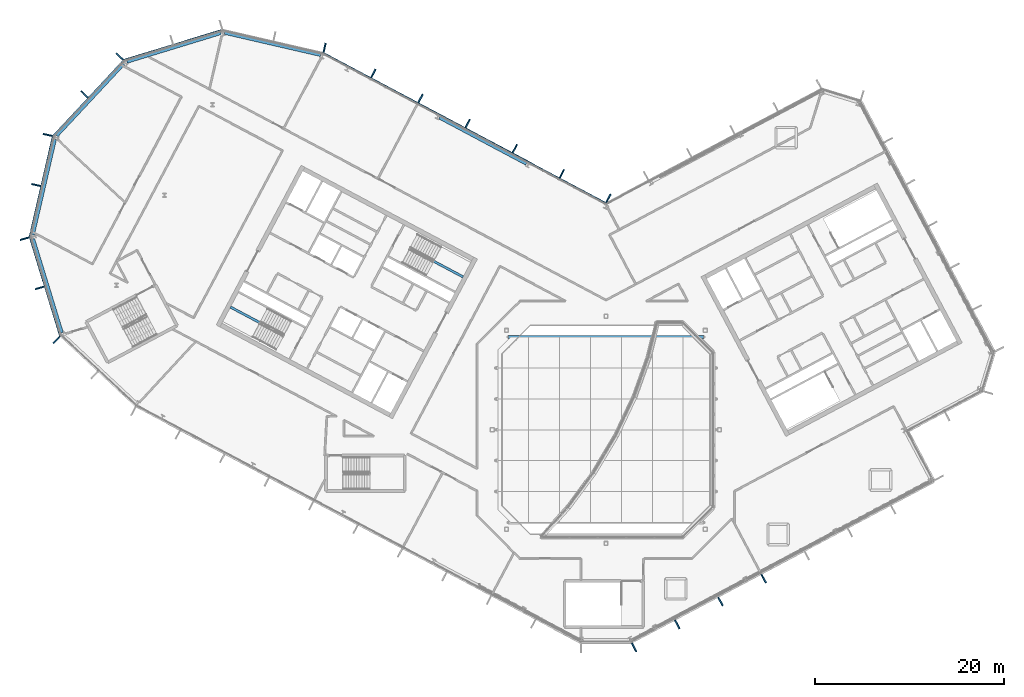
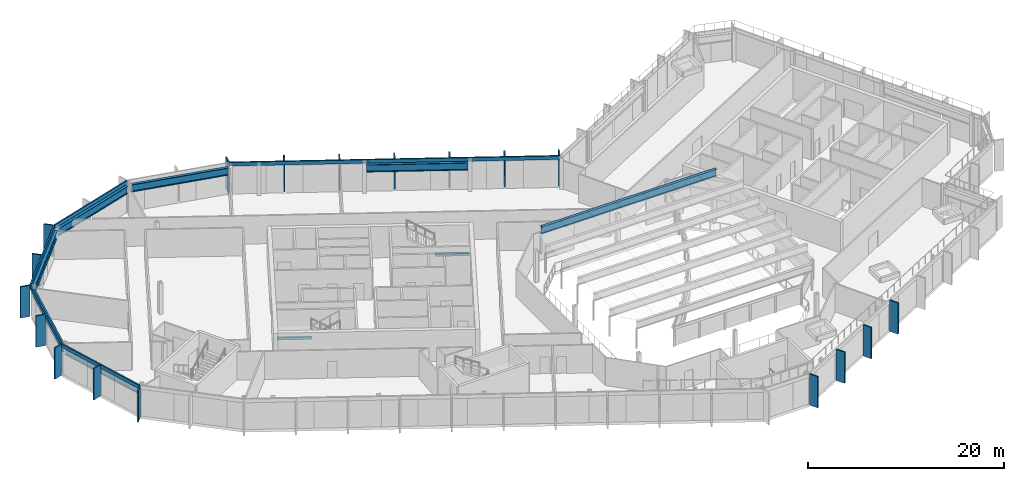
# One storey, part 14 of 35: 23 members, 9 beams, 8 elements without a shape of their own.
"""IFC4 building model written with IfcOpenShell, lengths in metres."""

from ifc_helpers import new_model, si_unit, direction, frame, origin, origin_2d, place, context, subcontext, project, spatial, rectangle, i_section, extrude, material, layer, layer_set, material_profile, profile_set, type_object, element, aggregate, save


model = new_model("IFC4")

# Units and contexts
model_context = context("Model", 3, precision=1e-05, world=origin(), true_north=direction((0.0, 1.0)))
body_context = subcontext(model_context, "Body", "Model", "MODEL_VIEW")
ifc_project = project(units=[si_unit("LENGTHUNIT", "METRE"), si_unit("AREAUNIT", "SQUARE_METRE"), si_unit("VOLUMEUNIT", "CUBIC_METRE"), si_unit("PLANEANGLEUNIT", "RADIAN"), si_unit("MASSUNIT", "GRAM", prefix="KILO")], contexts=[model_context])

# Site, building, storey
site_placement = place(None, origin())
site = spatial("IfcSite", under=ifc_project, at=site_placement, CompositionType="ELEMENT")
building_placement = place(site_placement, origin())
building = spatial("IfcBuilding", under=site, at=building_placement, Name="Cormorant Relay Tower", CompositionType="ELEMENT")
storey_placement = place(building_placement, frame((0.0, 0.0, 324.300048828125)))
storey = spatial("IfcBuildingStorey", under=building, at=storey_placement, Name="L74", CompositionType="ELEMENT", Elevation=324.300048828125)

# Curtain wall, members
ifc_material_1 = material(Name="Aluminium 6063-T6 anodised bronze", Category="aluminium")
ifc_layer = layer(ifc_material_1, 0.199951171875)
ifc_layer_set = layer_set([ifc_layer], Name="CW1 unitised bronze curtain wall with vertical fins")
curtain_wall_type = type_object("IfcCurtainWallType", Name="CW1 unitised bronze curtain wall with vertical fins", PredefinedType="NOTDEFINED", material=ifc_layer_set)
curtain_wall_1_placement = place(storey_placement, origin())
curtain_wall_1 = element("IfcCurtainWall", 1, at=curtain_wall_1_placement, inside=storey, type_object=curtain_wall_type, Name="CW1 curtain wall 2", PredefinedType="NOTDEFINED")
ifc_material_2 = material(Name="Aluminium 6063-T6 anodised bronze", Category="aluminium")
ifc_material_profile_1 = material_profile(ifc_material_2, rectangle(XDim=0.14990234375, YDim=1.0, at=origin_2d()), Name="AL 150x1000")
ifc_profile_set_1 = profile_set([ifc_material_profile_1], Name="Aluminium 6063-T6 anodised bronze")
member_type_1 = type_object("IfcMemberType", Name="CW1 bronze fin mullion 150 x 1000", PredefinedType="MULLION", material=ifc_profile_set_1)
member_1_placement = place(storey_placement, frame((2.9775390625, -22.99365234375, 0.0), z_axis=(0.0, 0.0, 1.0), x_axis=(0.882947592859, 0.469471562786, 0.0)))
member_1 = element("IfcMember", 2, at=member_1_placement, type_object=member_type_1, Name="CW1 fin 2.1", PredefinedType="MULLION", context=body_context, shape_type="SweptSolid", body=[
    extrude(rectangle(XDim=0.14990234375, YDim=1.0, at=origin_2d()), origin(), (0.0, 0.0, 1.0), 3.89990234375),
])
member_2_placement = place(storey_placement, frame((7.539306640625, -20.568115234375, 0.0), z_axis=(0.0, 0.0, 1.0), x_axis=(0.882947592859, 0.469471562786, 0.0)))
member_2 = element("IfcMember", 3, at=member_2_placement, type_object=member_type_1, Name="CW1 fin 2.2", PredefinedType="MULLION", context=body_context, shape_type="SweptSolid", body=[
    extrude(rectangle(XDim=0.14990234375, YDim=1.0, at=origin_2d()), origin(), (0.0, 0.0, 1.0), 3.89990234375),
])
member_3_placement = place(storey_placement, frame((12.10107421875, -18.142578125, 0.0), z_axis=(0.0, 0.0, 1.0), x_axis=(0.882947592859, 0.469471562786, 0.0)))
member_3 = element("IfcMember", 4, at=member_3_placement, type_object=member_type_1, Name="CW1 fin 2.3", PredefinedType="MULLION", context=body_context, shape_type="SweptSolid", body=[
    extrude(rectangle(XDim=0.14990234375, YDim=1.0, at=origin_2d()), origin(), (0.0, 0.0, 1.0), 3.89990234375),
])
member_4_placement = place(storey_placement, frame((16.662841796875, -15.717041015625, 0.0), z_axis=(0.0, 0.0, 1.0), x_axis=(0.882947592859, 0.469471562786, 0.0)))
member_4 = element("IfcMember", 5, at=member_4_placement, type_object=member_type_1, Name="CW1 fin 2.4", PredefinedType="MULLION", context=body_context, shape_type="SweptSolid", body=[
    extrude(rectangle(XDim=0.14990234375, YDim=1.0, at=origin_2d()), origin(), (0.0, 0.0, 1.0), 3.89990234375),
])
aggregate(curtain_wall_1, [member_1, member_2, member_3, member_4])

curtain_wall_2_placement = place(storey_placement, origin())
curtain_wall_2 = element("IfcCurtainWall", 6, at=curtain_wall_2_placement, inside=storey, type_object=curtain_wall_type, Name="CW1 curtain wall 9", PredefinedType="NOTDEFINED")
member_5_placement = place(storey_placement, frame((0.262451171875, 24.437255859375, 0.0), z_axis=(0.0, 0.0, 1.0), x_axis=(-0.882947592859, 0.469471562786, 0.0)))
member_5 = element("IfcMember", 7, at=member_5_placement, type_object=member_type_1, Name="CW1 fin 9.1", PredefinedType="MULLION", context=body_context, shape_type="SweptSolid", body=[
    extrude(rectangle(XDim=0.14990234375, YDim=1.0, at=origin_2d()), origin(), (0.0, 0.0, 1.0), 3.89990234375),
])
member_6_placement = place(storey_placement, frame((-4.650390625, 27.04931640625, 0.0), z_axis=(0.0, 0.0, 1.0), x_axis=(-0.882947592859, 0.469471562786, 0.0)))
member_6 = element("IfcMember", 8, at=member_6_placement, type_object=member_type_1, Name="CW1 fin 9.2", PredefinedType="MULLION", context=body_context, shape_type="SweptSolid", body=[
    extrude(rectangle(XDim=0.14990234375, YDim=1.0, at=origin_2d()), origin(), (0.0, 0.0, 1.0), 3.89990234375),
])
member_7_placement = place(storey_placement, frame((-9.62939453125, 29.69677734375, 0.0), z_axis=(0.0, 0.0, 1.0), x_axis=(-0.882947592859, 0.469471562786, 0.0)))
member_7 = element("IfcMember", 9, at=member_7_placement, type_object=member_type_1, Name="CW1 fin 9.3", PredefinedType="MULLION", context=body_context, shape_type="SweptSolid", body=[
    extrude(rectangle(XDim=0.14990234375, YDim=1.0, at=origin_2d()), origin(), (0.0, 0.0, 1.0), 3.89990234375),
])
member_8_placement = place(storey_placement, frame((-14.608154296875, 32.343994140625, 0.0), z_axis=(0.0, 0.0, 1.0), x_axis=(-0.882947592859, 0.469471562786, 0.0)))
member_8 = element("IfcMember", 10, at=member_8_placement, type_object=member_type_1, Name="CW1 fin 9.4", PredefinedType="MULLION", context=body_context, shape_type="SweptSolid", body=[
    extrude(rectangle(XDim=0.14990234375, YDim=1.0, at=origin_2d()), origin(), (0.0, 0.0, 1.0), 3.89990234375),
])
member_9_placement = place(storey_placement, frame((-19.587158203125, 34.991455078125, 0.0), z_axis=(0.0, 0.0, 1.0), x_axis=(-0.882947592859, 0.469471562786, 0.0)))
member_9 = element("IfcMember", 11, at=member_9_placement, type_object=member_type_1, Name="CW1 fin 9.5", PredefinedType="MULLION", context=body_context, shape_type="SweptSolid", body=[
    extrude(rectangle(XDim=0.14990234375, YDim=1.0, at=origin_2d()), origin(), (0.0, 0.0, 1.0), 3.89990234375),
])
member_10_placement = place(storey_placement, frame((-24.566162109375, 37.638916015625, 0.0), z_axis=(0.0, 0.0, 1.0), x_axis=(-0.882947592859, 0.469471562786, 0.0)))
member_10 = element("IfcMember", 12, at=member_10_placement, type_object=member_type_1, Name="CW1 fin 9.6", PredefinedType="MULLION", context=body_context, shape_type="SweptSolid", body=[
    extrude(rectangle(XDim=0.14990234375, YDim=1.0, at=origin_2d()), origin(), (0.0, 0.0, 1.0), 3.89990234375),
])

# Curtain wall, member
curtain_wall_3_placement = place(storey_placement, origin())
curtain_wall_3 = element("IfcCurtainWall", 13, at=curtain_wall_3_placement, inside=storey, type_object=curtain_wall_type, Name="CW1 curtain wall 10", PredefinedType="NOTDEFINED")
member_11_placement = place(storey_placement, frame((-29.71630859375, 40.35009765625, 0.0), z_axis=(0.0, 0.0, 1.0), x_axis=(-0.974370064785, 0.224951054344, 0.0)))
member_11 = element("IfcMember", 14, at=member_11_placement, type_object=member_type_1, Name="CW1 fin 10.1", PredefinedType="MULLION", context=body_context, shape_type="SweptSolid", body=[
    extrude(rectangle(XDim=0.14990234375, YDim=1.0, at=origin_2d()), origin(), (0.0, 0.0, 1.0), 3.89990234375),
])
aggregate(curtain_wall_3, [member_11])

# Curtain wall, members
curtain_wall_4_placement = place(storey_placement, origin())
curtain_wall_4 = element("IfcCurtainWall", 15, at=curtain_wall_4_placement, inside=storey, type_object=curtain_wall_type, Name="CW1 curtain wall 12", PredefinedType="NOTDEFINED")
member_12_placement = place(storey_placement, frame((-51.372802734375, 39.41259765625, 0.0), z_axis=(0.0, 0.0, 1.0), x_axis=(-0.681998360062, -0.731353701619, 0.0)))
member_12 = element("IfcMember", 16, at=member_12_placement, type_object=member_type_1, Name="CW1 fin 12.1", PredefinedType="MULLION", context=body_context, shape_type="SweptSolid", body=[
    extrude(rectangle(XDim=0.14990234375, YDim=1.0, at=origin_2d()), origin(), (0.0, 0.0, 1.0), 3.89990234375),
])
member_13_placement = place(storey_placement, frame((-55.07958984375, 35.4375, 0.0), z_axis=(0.0, 0.0, 1.0), x_axis=(-0.681998360062, -0.731353701619, 0.0)))
member_13 = element("IfcMember", 17, at=member_13_placement, type_object=member_type_1, Name="CW1 fin 12.2", PredefinedType="MULLION", context=body_context, shape_type="SweptSolid", body=[
    extrude(rectangle(XDim=0.14990234375, YDim=1.0, at=origin_2d()), origin(), (0.0, 0.0, 1.0), 3.89990234375),
])

curtain_wall_5_placement = place(storey_placement, origin())
curtain_wall_5 = element("IfcCurtainWall", 18, at=curtain_wall_5_placement, inside=storey, type_object=curtain_wall_type, Name="CW1 curtain wall 13", PredefinedType="NOTDEFINED")
member_14_placement = place(storey_placement, frame((-58.95654296875, 31.142578125, 0.0), z_axis=(0.0, 0.0, 1.0), x_axis=(-0.224951054344, -0.974370064785, 0.0)))
member_14 = element("IfcMember", 19, at=member_14_placement, type_object=member_type_1, Name="CW1 fin 13.1", PredefinedType="MULLION", context=body_context, shape_type="SweptSolid", body=[
    extrude(rectangle(XDim=0.14990234375, YDim=1.0, at=origin_2d()), origin(), (0.0, 0.0, 1.0), 3.89990234375),
])
member_15_placement = place(storey_placement, frame((-60.17919921875, 25.8466796875, 0.0), z_axis=(0.0, 0.0, 1.0), x_axis=(-0.224951054344, -0.974370064785, 0.0)))
member_15 = element("IfcMember", 20, at=member_15_placement, type_object=member_type_1, Name="CW1 fin 13.2", PredefinedType="MULLION", context=body_context, shape_type="SweptSolid", body=[
    extrude(rectangle(XDim=0.14990234375, YDim=1.0, at=origin_2d()), origin(), (0.0, 0.0, 1.0), 3.89990234375),
])

curtain_wall_6_placement = place(storey_placement, origin())
curtain_wall_6 = element("IfcCurtainWall", 21, at=curtain_wall_6_placement, inside=storey, type_object=curtain_wall_type, Name="CW1 curtain wall 14", PredefinedType="NOTDEFINED")
member_16_placement = place(storey_placement, frame((-61.389404296875, 20.188720703125, 0.0), z_axis=(0.0, 0.0, 1.0), x_axis=(0.292371704723, -0.956304755963, 0.0)))
member_16 = element("IfcMember", 22, at=member_16_placement, type_object=member_type_1, Name="CW1 fin 14.1", PredefinedType="MULLION", context=body_context, shape_type="SweptSolid", body=[
    extrude(rectangle(XDim=0.14990234375, YDim=1.0, at=origin_2d()), origin(), (0.0, 0.0, 1.0), 3.89990234375),
])
member_17_placement = place(storey_placement, frame((-59.80029296875, 14.990966796875, 0.0), z_axis=(0.0, 0.0, 1.0), x_axis=(0.292371704723, -0.956304755963, 0.0)))
member_17 = element("IfcMember", 23, at=member_17_placement, type_object=member_type_1, Name="CW1 fin 14.2", PredefinedType="MULLION", context=body_context, shape_type="SweptSolid", body=[
    extrude(rectangle(XDim=0.14990234375, YDim=1.0, at=origin_2d()), origin(), (0.0, 0.0, 1.0), 3.89990234375),
])

# Curtain wall, member
curtain_wall_7_placement = place(storey_placement, origin())
curtain_wall_7 = element("IfcCurtainWall", 24, at=curtain_wall_7_placement, inside=storey, type_object=curtain_wall_type, Name="CW1 curtain wall 15", PredefinedType="NOTDEFINED")
member_18_placement = place(storey_placement, frame((-58.01904296875, 9.486083984375, 0.0), z_axis=(0.0, 0.0, 1.0), x_axis=(0.731353701619, -0.681998360062, 0.0)))
member_18 = element("IfcMember", 25, at=member_18_placement, type_object=member_type_1, Name="CW1 fin 15.1", PredefinedType="MULLION", context=body_context, shape_type="SweptSolid", body=[
    extrude(rectangle(XDim=0.14990234375, YDim=1.0, at=origin_2d()), origin(), (0.0, 0.0, 1.0), 3.89990234375),
])
aggregate(curtain_wall_7, [member_18])

# Member
ifc_material_3 = material(Name="Aluminium 6063-T6 anodised bronze", Category="aluminium")
ifc_material_profile_2 = material_profile(ifc_material_3, rectangle(XDim=0.159912109375, YDim=0.449951171875, at=origin_2d()), Name="AL 160x450")
ifc_profile_set_2 = profile_set([ifc_material_profile_2], Name="Aluminium 6063-T6 anodised bronze")
member_type_2 = type_object("IfcMemberType", Name="CW1 bronze transom 160 x 450", PredefinedType="USERDEFINED", material=ifc_profile_set_2)
member_19_placement = place(storey_placement, frame((0.056396484375, 23.889892578125, 3.675048828125), z_axis=(-0.882946280328, 0.46947403129, 0.0), x_axis=(-0.46947403129, -0.882946280328, 0.0)))
member_19 = element("IfcMember", 26, at=member_19_placement, type_object=member_type_2, Name="CW1 transom 9", ObjectType="TRANSOM", PredefinedType="USERDEFINED", context=body_context, shape_type="SweptSolid", body=[
    extrude(rectangle(XDim=0.159912109375, YDim=0.449951171875, at=origin_2d()), origin(), (0.0, 0.0, 1.0), 33.834228515625),
])

aggregate(curtain_wall_2, [member_5, member_6, member_7, member_8, member_9, member_10, member_19])

# Curtain wall, member
curtain_wall_8_placement = place(storey_placement, origin())
curtain_wall_8 = element("IfcCurtainWall", 27, at=curtain_wall_8_placement, inside=storey, type_object=curtain_wall_type, Name="CW1 curtain wall 11", PredefinedType="NOTDEFINED")
member_20_placement = place(storey_placement, frame((-40.50048828125, 42.228271484375, 3.675048828125), z_axis=(-0.956304833932, -0.292371449698, 0.0), x_axis=(0.292371449698, -0.956304833932, 0.0)))
member_20 = element("IfcMember", 28, at=member_20_placement, type_object=member_type_2, Name="CW1 transom 11", ObjectType="TRANSOM", PredefinedType="USERDEFINED", context=body_context, shape_type="SweptSolid", body=[
    extrude(rectangle(XDim=0.159912109375, YDim=0.449951171875, at=origin_2d()), origin(), (0.0, 0.0, 1.0), 10.87060546875),
])
aggregate(curtain_wall_8, [member_20])

# Member
member_21_placement = place(storey_placement, frame((-50.94873046875, 39.01708984375, 3.675048828125), z_axis=(-0.681993299437, -0.731358420696, 0.0), x_axis=(0.731358420696, -0.681993299437, 0.0)))
member_21 = element("IfcMember", 29, at=member_21_placement, type_object=member_type_2, Name="CW1 transom 12", ObjectType="TRANSOM", PredefinedType="USERDEFINED", context=body_context, shape_type="SweptSolid", body=[
    extrude(rectangle(XDim=0.159912109375, YDim=0.449951171875, at=origin_2d()), origin(), (0.0, 0.0, 1.0), 10.870361328125),
])

aggregate(curtain_wall_4, [member_12, member_13, member_21])

member_22_placement = place(storey_placement, frame((-58.3916015625, 31.01220703125, 3.675048828125), z_axis=(-0.22495136131, -0.974369993916, 0.0), x_axis=(0.974369993916, -0.22495136131, 0.0)))
member_22 = element("IfcMember", 30, at=member_22_placement, type_object=member_type_2, Name="CW1 transom 13", ObjectType="TRANSOM", PredefinedType="USERDEFINED", context=body_context, shape_type="SweptSolid", body=[
    extrude(rectangle(XDim=0.159912109375, YDim=0.449951171875, at=origin_2d()), origin(), (0.0, 0.0, 1.0), 10.870361328125),
])

aggregate(curtain_wall_5, [member_14, member_15, member_22])

member_23_placement = place(storey_placement, frame((-60.834716796875, 20.358154296875, 3.675048828125), z_axis=(0.292377729282, -0.95630291405, 0.0), x_axis=(0.95630291405, 0.292377729282, 0.0)))
member_23 = element("IfcMember", 31, at=member_23_placement, type_object=member_type_2, Name="CW1 transom 14", ObjectType="TRANSOM", PredefinedType="USERDEFINED", context=body_context, shape_type="SweptSolid", body=[
    extrude(rectangle(XDim=0.159912109375, YDim=0.449951171875, at=origin_2d()), origin(), (0.0, 0.0, 1.0), 10.870361328125),
])

aggregate(curtain_wall_6, [member_16, member_17, member_23])

# Beams
ifc_material_4 = material(Name="Steel ASTM A572 Grade 50 (Fy 345 MPa)", Category="steel")
ifc_material_profile_3 = material_profile(ifc_material_4, i_section(OverallWidth=0.300048828125, OverallDepth=0.89990234375, WebThickness=0.02001953125, FlangeThickness=0.030029296875, at=origin_2d()), Name="PG900x300")
ifc_profile_set_3 = profile_set([ifc_material_profile_3], Name="Steel ASTM A572 Grade 50 (Fy 345 MPa)")
beam_type_1 = type_object("IfcBeamType", Name="CW5 roof girder 900 x 300", PredefinedType="BEAM", material=ifc_profile_set_3)
beam_1_placement = place(storey_placement, frame((-10.351318359375, 9.78857421875, 6.800048828125), z_axis=(1.0, 0.0, 0.0), x_axis=(0.0, 1.0, 0.0)))
element("IfcBeam", 32, at=beam_1_placement, inside=storey, type_object=beam_type_1, Name="CW5 roof girder 7", PredefinedType="BEAM", context=body_context, shape_type="SweptSolid", body=[
    extrude(i_section(OverallWidth=0.300048828125, OverallDepth=0.89990234375, WebThickness=0.02001953125, FlangeThickness=0.030029296875, at=origin_2d()), origin(), (0.0, 0.0, 1.0), 20.70263671875),
])
ifc_material_5 = material(Name="Steel ASTM A992 (Fy 345 MPa)", Category="steel")
ifc_material_profile_4 = material_profile(ifc_material_5, i_section(OverallWidth=0.307373046875, OverallDepth=0.927001953125, WebThickness=0.019287109375, FlangeThickness=0.031982421875, FilletRadius=0.01904296875, at=origin_2d()), Name="W920x289")
ifc_profile_set_4 = profile_set([ifc_material_profile_4], Name="Steel ASTM A992 (Fy 345 MPa)")
beam_type_2 = type_object("IfcBeamType", Name="Spandrel W920x289", PredefinedType="SPANDREL", material=ifc_profile_set_4)
beam_2_placement = place(storey_placement, frame((-8.401611328125, 28.0771484375, 3.0361328125), z_axis=(-0.882945471565, 0.469475552338, 0.0), x_axis=(-0.469475552338, -0.882945471565, 0.0)))
element("IfcBeam", 33, at=beam_2_placement, inside=storey, type_object=beam_type_2, Name="Spandrel beam L74-009", PredefinedType="SPANDREL", context=body_context, shape_type="SweptSolid", body=[
    extrude(i_section(OverallWidth=0.307373046875, OverallDepth=0.927001953125, WebThickness=0.019287109375, FlangeThickness=0.031982421875, FilletRadius=0.01904296875, at=origin_2d()), origin(), (0.0, 0.0, 1.0), 10.401123046875),
])
beam_3_placement = place(storey_placement, frame((-30.138427734375, 39.571533203125, 3.0361328125), z_axis=(-0.97437021882, 0.224950387145, 0.0), x_axis=(-0.224950387145, -0.97437021882, 0.0)))
element("IfcBeam", 34, at=beam_3_placement, inside=storey, type_object=beam_type_2, Name="Spandrel beam L74-010", PredefinedType="SPANDREL", context=body_context, shape_type="SweptSolid", body=[
    extrude(i_section(OverallWidth=0.307373046875, OverallDepth=0.927001953125, WebThickness=0.019287109375, FlangeThickness=0.031982421875, FilletRadius=0.01904296875, at=origin_2d()), origin(), (0.0, 0.0, 1.0), 10.3984375),
])
beam_4_placement = place(storey_placement, frame((-40.68505859375, 41.8857421875, 3.0361328125), z_axis=(-0.956304903575, -0.292371221906, 0.0), x_axis=(0.292371221906, -0.956304903575, 0.0)))
element("IfcBeam", 35, at=beam_4_placement, inside=storey, type_object=beam_type_2, Name="Spandrel beam L74-011", PredefinedType="SPANDREL", context=body_context, shape_type="SweptSolid", body=[
    extrude(i_section(OverallWidth=0.307373046875, OverallDepth=0.927001953125, WebThickness=0.019287109375, FlangeThickness=0.031982421875, FilletRadius=0.01904296875, at=origin_2d()), origin(), (0.0, 0.0, 1.0), 10.358642578125),
])
beam_5_placement = place(storey_placement, frame((-50.9375, 38.627685546875, 3.0361328125), z_axis=(-0.682009982741, -0.731342863124, 0.0), x_axis=(0.731342863124, -0.682009982741, 0.0)))
element("IfcBeam", 36, at=beam_5_placement, inside=storey, type_object=beam_type_2, Name="Spandrel beam L74-012", PredefinedType="SPANDREL", context=body_context, shape_type="SweptSolid", body=[
    extrude(i_section(OverallWidth=0.307373046875, OverallDepth=0.927001953125, WebThickness=0.019287109375, FlangeThickness=0.031982421875, FilletRadius=0.01904296875, at=origin_2d()), origin(), (0.0, 0.0, 1.0), 10.35791015625),
])
beam_6_placement = place(storey_placement, frame((-58.18701171875, 30.680908203125, 3.0361328125), z_axis=(-0.224955895786, -0.974368947038, 0.0), x_axis=(0.974368947038, -0.224955895786, 0.0)))
element("IfcBeam", 37, at=beam_6_placement, inside=storey, type_object=beam_type_2, Name="Spandrel beam L74-013", PredefinedType="SPANDREL", context=body_context, shape_type="SweptSolid", body=[
    extrude(i_section(OverallWidth=0.307373046875, OverallDepth=0.927001953125, WebThickness=0.019287109375, FlangeThickness=0.031982421875, FilletRadius=0.01904296875, at=origin_2d()), origin(), (0.0, 0.0, 1.0), 10.359130859375),
])
beam_7_placement = place(storey_placement, frame((-60.49169921875, 20.1728515625, 3.0361328125), z_axis=(0.292367651593, -0.95630599512, 0.0), x_axis=(0.95630599512, 0.292367651593, 0.0)))
element("IfcBeam", 38, at=beam_7_placement, inside=storey, type_object=beam_type_2, Name="Spandrel beam L74-014", PredefinedType="SPANDREL", context=body_context, shape_type="SweptSolid", body=[
    extrude(i_section(OverallWidth=0.307373046875, OverallDepth=0.927001953125, WebThickness=0.019287109375, FlangeThickness=0.031982421875, FilletRadius=0.01904296875, at=origin_2d()), origin(), (0.0, 0.0, 1.0), 10.357177734375),
])
ifc_material_6 = material(Name="Concrete 50 MPa", Category="concrete")
ifc_material_profile_5 = material_profile(ifc_material_6, rectangle(XDim=0.25, YDim=0.300048828125, at=origin_2d()), Name="RC 250x300")
ifc_profile_set_5 = profile_set([ifc_material_profile_5], Name="Concrete 50 MPa")
beam_type_3 = type_object("IfcBeamType", Name="Stair landing ledge beam 250x300", PredefinedType="BEAM", material=ifc_profile_set_5)
beam_8_placement = place(storey_placement, frame((-18.219482421875, 17.813720703125, 1.599853515625), z_axis=(0.882950035608, -0.469466968614, 0.0), x_axis=(0.469466968614, 0.882950035608, 0.0)))
element("IfcBeam", 39, at=beam_8_placement, inside=storey, type_object=beam_type_3, Name="A1 landing ledge beam", PredefinedType="BEAM", context=body_context, shape_type="SweptSolid", body=[
    extrude(rectangle(XDim=0.25, YDim=0.300048828125, at=origin_2d()), origin(), (0.0, 0.0, 1.0), 3.5498046875),
])
beam_9_placement = place(storey_placement, frame((-36.523193359375, 11.29345703125, 1.599853515625), z_axis=(-0.88293668587, 0.469492075273, 0.0), x_axis=(-0.469492075273, -0.88293668587, 0.0)))
element("IfcBeam", 40, at=beam_9_placement, inside=storey, type_object=beam_type_3, Name="A2 landing ledge beam", PredefinedType="BEAM", context=body_context, shape_type="SweptSolid", body=[
    extrude(rectangle(XDim=0.25, YDim=0.300048828125, at=origin_2d()), origin(), (0.0, 0.0, 1.0), 3.550048828125),
])

save(model, "model.ifc")
